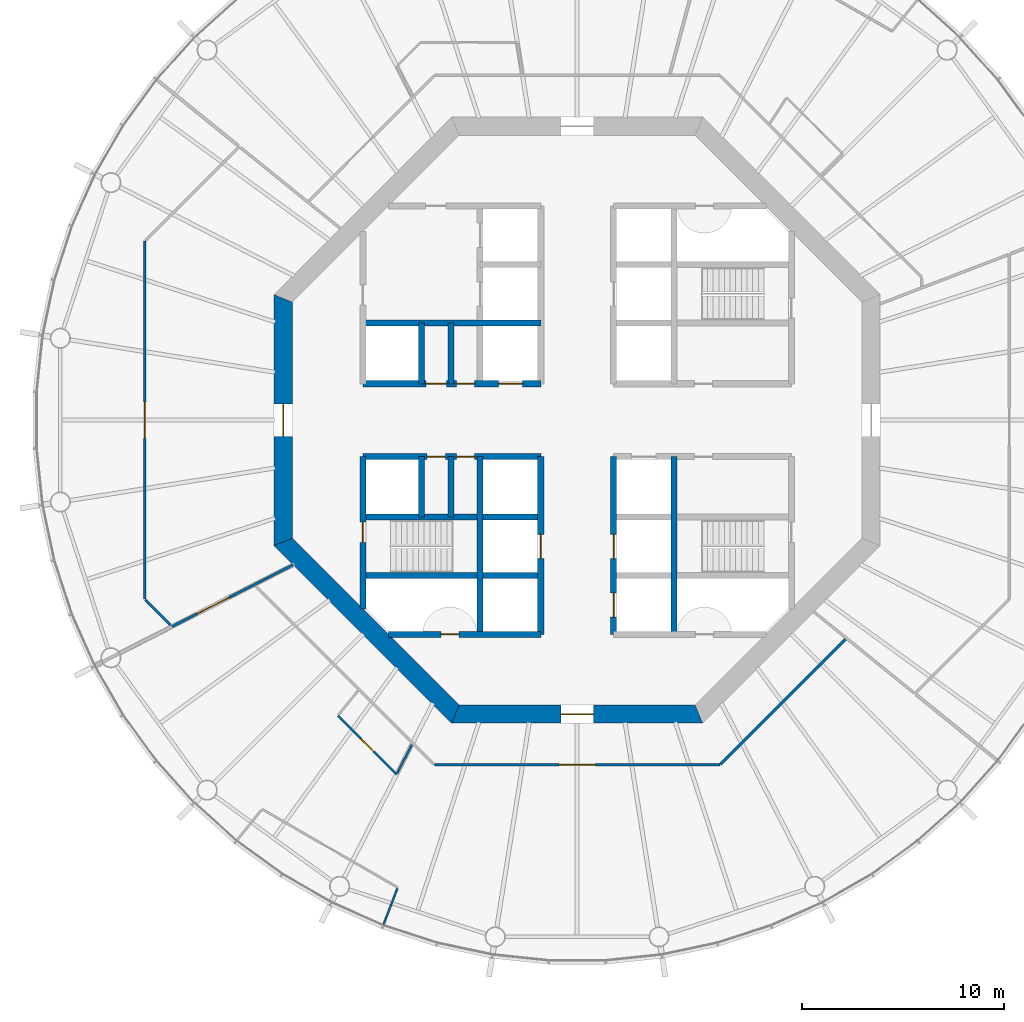
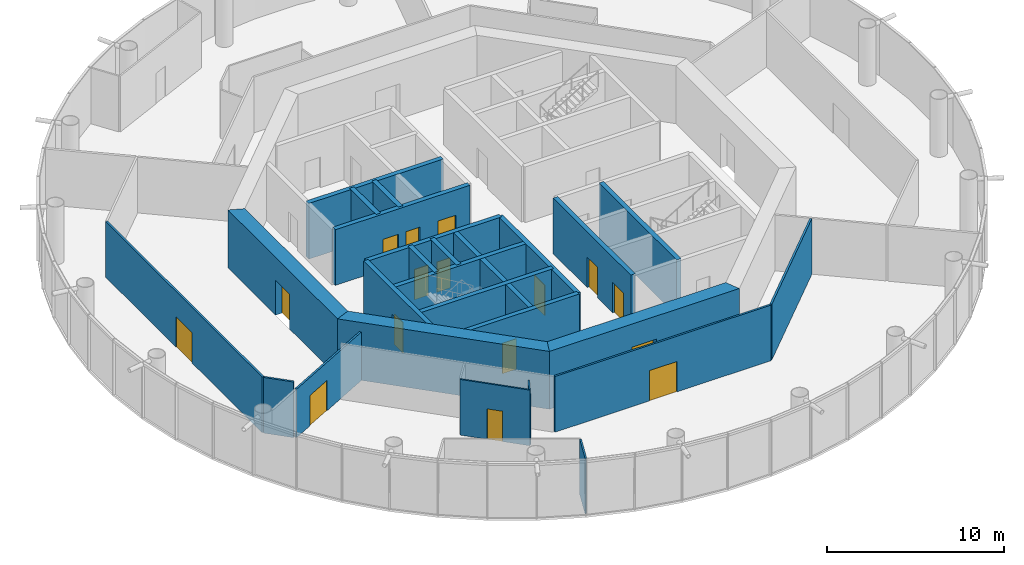
# One storey, part 3 of 12: 26 walls, 16 doors, 16 openings.
"""IFC4 building model written with IfcOpenShell, lengths in metres."""

from ifc_helpers import new_model, si_unit, direction, frame, frame_2d, origin, place, context, subcontext, project, spatial, polyline, rectangle, outline, extrude, material, layer, layer_set, type_object, element, fill, save


model = new_model("IFC4")

# Units and contexts
model_context = context("Model", 3, precision=1e-05, world=origin(), true_north=direction((0.0, 1.0)))
body_context = subcontext(model_context, "Body", "Model", "MODEL_VIEW")
ifc_project = project(units=[si_unit("LENGTHUNIT", "METRE"), si_unit("AREAUNIT", "SQUARE_METRE"), si_unit("VOLUMEUNIT", "CUBIC_METRE"), si_unit("PLANEANGLEUNIT", "RADIAN"), si_unit("MASSUNIT", "GRAM", prefix="KILO")], contexts=[model_context])

# Site, building, storey
site_placement = place(None, origin())
site = spatial("IfcSite", under=ifc_project, at=site_placement, CompositionType="ELEMENT")
building_placement = place(site_placement, origin())
building = spatial("IfcBuilding", under=site, at=building_placement, Name="Entoto Ring Tower", CompositionType="ELEMENT")
storey_placement = place(building_placement, frame((0.0, 0.0, 214.0)))
storey = spatial("IfcBuildingStorey", under=building, at=storey_placement, Name="L49", CompositionType="ELEMENT", Elevation=214.0)

# Wall
ifc_material_1 = material(Name="Concrete C40/50", Category="concrete")
ifc_layer_1 = layer(ifc_material_1, 0.300048828125)
ifc_layer_set_1 = layer_set([ifc_layer_1], Name="Concrete C40/50")
wall_type_1 = type_object("IfcWallType", Name="Core enclosure wall 300 mm reinforced concrete", PredefinedType="SOLIDWALL", material=ifc_layer_set_1)
wall_1_placement = place(storey_placement, frame((94.800048828125, 69.39990234375, 0.0), z_axis=(0.0, 0.0, 1.0), x_axis=(0.0, 1.0, 0.0)))
element("IfcWall", 1, at=wall_1_placement, inside=storey, type_object=wall_type_1, Name="wall-L49-003", PredefinedType="SOLIDWALL", context=body_context, shape_type="SweptSolid", body=[
    extrude(rectangle(XDim=8.800048828125, YDim=0.300048828125, at=frame_2d((4.39990234375, 0.0))), origin(), (0.0, 0.0, 1.0), 3.85009765625),
])

# Wall, openings, doors
wall_2_placement = place(storey_placement, frame((91.800048828125, 69.39990234375, 0.0), z_axis=(0.0, 0.0, 1.0), x_axis=(0.0, 1.0, 0.0)))
wall_2 = element("IfcWall", 2, at=wall_2_placement, inside=storey, type_object=wall_type_1, Name="wall-L49-005", PredefinedType="SOLIDWALL", context=body_context, shape_type="SweptSolid", body=[
    extrude(rectangle(XDim=8.800048828125, YDim=0.300048828125, at=frame_2d((4.39990234375, 0.0))), origin(), (0.0, 0.0, 1.0), 3.85009765625),
])
opening_1_placement = place(wall_2_placement, frame((3.75, 0.0, 0.0)))
opening_1 = element("IfcOpeningElement", 3, at=opening_1_placement, cuts=wall_2, Name="Opening LD", PredefinedType="OPENING", context=body_context, shape_type="SweptSolid", body=[
    extrude(rectangle(XDim=1.199951171875, YDim=2.10009765625, at=frame_2d((0.60009765625, 1.050048828125))), frame((0.0, 0.16015625, 0.0), z_axis=(0.0, -1.0, 0.0), x_axis=(1.0, 0.0, 0.0)), (0.0, 0.0, 1.0), 0.320068359375),
])
opening_2_placement = place(wall_2_placement, frame((0.85009765625, 0.0, 0.0)))
opening_2 = element("IfcOpeningElement", 4, at=opening_2_placement, cuts=wall_2, Name="Opening LD", PredefinedType="OPENING", context=body_context, shape_type="SweptSolid", body=[
    extrude(rectangle(XDim=1.199951171875, YDim=2.10009765625, at=frame_2d((0.60009765625, 1.050048828125))), frame((0.0, 0.16015625, 0.0), z_axis=(0.0, -1.0, 0.0), x_axis=(1.0, 0.0, 0.0)), (0.0, 0.0, 1.0), 0.320068359375),
])
ifc_material_2 = material(Name="Steel and glass door leaf", Category="steel")
ifc_layer_2 = layer(ifc_material_2, 0.050048828125)
ifc_layer_set_2 = layer_set([ifc_layer_2], Name="Steel and glass door leaf")
door_type_1 = type_object("IfcDoorType", Name="Landing door 1200 x 2100 sliding", OperationType="DOUBLE_DOOR_SLIDING", PredefinedType="DOOR", material=ifc_layer_set_2)
door_1_placement = place(opening_1_placement, origin())
door_1 = element("IfcDoor", 5, at=door_1_placement, inside=storey, type_object=door_type_1, Name="Landing door LB2-MR", OperationType="SLIDING_TO_RIGHT", OverallHeight=2.10009765625, OverallWidth=1.199951171875, PredefinedType="DOOR", context=body_context, shape_type="SweptSolid", body=[
    extrude(rectangle(XDim=1.199951171875, YDim=2.10009765625, at=frame_2d((0.60009765625, 1.050048828125))), frame((0.0, 0.02490234375, 0.0), z_axis=(0.0, -1.0, 0.0), x_axis=(1.0, 0.0, 0.0)), (0.0, 0.0, 1.0), 0.050048828125),
])
fill(opening_1, door_1)
door_2_placement = place(opening_2_placement, origin())
door_2 = element("IfcDoor", 6, at=door_2_placement, inside=storey, type_object=door_type_1, Name="Landing door LB3-MR", OperationType="SLIDING_TO_RIGHT", OverallHeight=2.10009765625, OverallWidth=1.199951171875, PredefinedType="DOOR", context=body_context, shape_type="SweptSolid", body=[
    extrude(rectangle(XDim=1.199951171875, YDim=2.10009765625, at=frame_2d((0.60009765625, 1.050048828125))), frame((0.0, 0.02490234375, 0.0), z_axis=(0.0, -1.0, 0.0), x_axis=(1.0, 0.0, 0.0)), (0.0, 0.0, 1.0), 0.050048828125),
])
fill(opening_2, door_2)

# Wall, opening, door
wall_3_placement = place(storey_placement, frame((88.199951171875, 69.39990234375, 0.0), z_axis=(0.0, 0.0, 1.0), x_axis=(0.0, 1.0, 0.0)))
wall_3 = element("IfcWall", 7, at=wall_3_placement, inside=storey, type_object=wall_type_1, Name="wall-L49-007", PredefinedType="SOLIDWALL", context=body_context, shape_type="SweptSolid", body=[
    extrude(rectangle(XDim=8.800048828125, YDim=0.300048828125, at=frame_2d((4.39990234375, 0.0))), origin(), (0.0, 0.0, 1.0), 3.85009765625),
])
opening_3_placement = place(wall_3_placement, frame((3.75, 0.0, 0.0)))
opening_3 = element("IfcOpeningElement", 8, at=opening_3_placement, cuts=wall_3, Name="Opening LD", PredefinedType="OPENING", context=body_context, shape_type="SweptSolid", body=[
    extrude(rectangle(XDim=1.199951171875, YDim=2.10009765625, at=frame_2d((0.60009765625, 1.050048828125))), frame((0.0, 0.16015625, 0.0), z_axis=(0.0, -1.0, 0.0), x_axis=(1.0, 0.0, 0.0)), (0.0, 0.0, 1.0), 0.320068359375),
])
door_3_placement = place(opening_3_placement, origin())
door_3 = element("IfcDoor", 9, at=door_3_placement, inside=storey, type_object=door_type_1, Name="Landing door LB4-MR", OperationType="SLIDING_TO_RIGHT", OverallHeight=2.10009765625, OverallWidth=1.199951171875, PredefinedType="DOOR", context=body_context, shape_type="SweptSolid", body=[
    extrude(rectangle(XDim=1.199951171875, YDim=2.10009765625, at=frame_2d((0.60009765625, 1.050048828125))), frame((0.0, 0.02490234375, 0.0), z_axis=(0.0, -1.0, 0.0), x_axis=(1.0, 0.0, 0.0)), (0.0, 0.0, 1.0), 0.050048828125),
])
fill(opening_3, door_3)

# Walls
wall_4_placement = place(storey_placement, frame((85.199951171875, 69.39990234375, 0.0), z_axis=(0.0, 0.0, 1.0), x_axis=(0.0, 1.0, 0.0)))
element("IfcWall", 10, at=wall_4_placement, inside=storey, type_object=wall_type_1, Name="wall-L49-009", PredefinedType="SOLIDWALL", context=body_context, shape_type="SweptSolid", body=[
    extrude(rectangle(XDim=8.800048828125, YDim=0.300048828125, at=frame_2d((4.39990234375, 0.0))), origin(), (0.0, 0.0, 1.0), 3.85009765625),
])
for number, where, z_axis, x_axis, name in (
    (11, (83.75, 75.199951171875, 0.0), (0.0, 0.0, 1.0), (0.0, 1.0, 0.0), "wall-L49-011"),
    (12, (83.75, 81.800048828125, 0.0), (0.0, 0.0, 1.0), (0.0, 1.0, 0.0), "wall-L49-012"),
    (13, (82.300048828125, 75.199951171875, 0.0), (0.0, 0.0, 1.0), (0.0, 1.0, 0.0), "wall-L49-013"),
    (14, (82.300048828125, 81.800048828125, 0.0), (0.0, 0.0, 1.0), (0.0, 1.0, 0.0), "wall-L49-014"),
):
    element("IfcWall", number, at=place(storey_placement, frame(where, z_axis=z_axis, x_axis=x_axis)), inside=storey, type_object=wall_type_1, Name=name, PredefinedType="SOLIDWALL", context=body_context, shape_type="SweptSolid", body=[
        extrude(rectangle(XDim=3.0, YDim=0.300048828125, at=frame_2d((1.5, 0.0))), origin(), (0.0, 0.0, 1.0), 3.85009765625),
    ])

# Wall, opening, door
wall_5_placement = place(storey_placement, frame((79.39990234375, 70.65966796875, 0.0), z_axis=(0.0, 0.0, 1.0), x_axis=(0.0, 1.0, 0.0)))
wall_5 = element("IfcWall", 15, at=wall_5_placement, inside=storey, type_object=wall_type_1, Name="wall-L49-015", PredefinedType="SOLIDWALL", context=body_context, shape_type="SweptSolid", body=[
    extrude(rectangle(XDim=7.540283203125, YDim=0.300048828125, at=frame_2d((3.77001953125, 0.0))), origin(), (0.0, 0.0, 1.0), 3.85009765625),
])
opening_4_placement = place(wall_5_placement, frame((3.290283203125, 0.0, 0.0)))
opening_4 = element("IfcOpeningElement", 16, at=opening_4_placement, cuts=wall_5, Name="Opening K-59", PredefinedType="OPENING", context=body_context, shape_type="SweptSolid", body=[
    extrude(rectangle(XDim=1.0, YDim=2.10009765625, at=frame_2d((0.5, 1.050048828125))), frame((0.0, 0.16015625, 0.0), z_axis=(0.0, -1.0, 0.0), x_axis=(1.0, 0.0, 0.0)), (0.0, 0.0, 1.0), 0.320068359375),
])
ifc_material_3 = material(Name="Steel door leaf, fire rated", Category="steel")
ifc_layer_3 = layer(ifc_material_3, 0.050048828125)
ifc_layer_set_3 = layer_set([ifc_layer_3], Name="Steel door leaf, fire rated")
door_type_2 = type_object("IfcDoorType", Name="Fire door FD60 1000 x 2100 single leaf", OperationType="NOTDEFINED", PredefinedType="DOOR", material=ifc_layer_set_3)
door_4_placement = place(opening_4_placement, frame((1.0, 0.0, 0.0), z_axis=(0.0, 0.0, 1.0), x_axis=(-1.0, 0.0, 0.0)))
door_4 = element("IfcDoor", 17, at=door_4_placement, inside=storey, type_object=door_type_2, Name="Door K-59", OperationType="SINGLE_SWING_LEFT", OverallHeight=2.10009765625, OverallWidth=1.0, PredefinedType="DOOR", context=body_context, shape_type="SweptSolid", body=[
    extrude(rectangle(XDim=1.0, YDim=2.10009765625, at=frame_2d((0.5, 1.050048828125))), frame((0.0, 0.02490234375, 0.0), z_axis=(0.0, -1.0, 0.0), x_axis=(1.0, 0.0, 0.0)), (0.0, 0.0, 1.0), 0.050048828125),
])
fill(opening_4, door_4)

wall_6_placement = place(storey_placement, frame((80.65966796875, 69.39990234375, 0.0), z_axis=(0.0, 0.0, 1.0), x_axis=(1.0, 0.0, 0.0)))
wall_6 = element("IfcWall", 18, at=wall_6_placement, inside=storey, type_object=wall_type_1, Name="wall-L49-017", PredefinedType="SOLIDWALL", context=body_context, shape_type="SweptSolid", body=[
    extrude(rectangle(XDim=7.540283203125, YDim=0.300048828125, at=frame_2d((3.77001953125, 0.0))), origin(), (0.0, 0.0, 1.0), 3.85009765625),
])
opening_5_placement = place(wall_6_placement, frame((2.59033203125, 0.0, 0.0)))
opening_5 = element("IfcOpeningElement", 19, at=opening_5_placement, cuts=wall_6, Name="Opening K-66", PredefinedType="OPENING", context=body_context, shape_type="SweptSolid", body=[
    extrude(rectangle(XDim=0.89990234375, YDim=2.10009765625, at=frame_2d((0.449951171875, 1.050048828125))), frame((0.0, 0.16015625, 0.0), z_axis=(0.0, -1.0, 0.0), x_axis=(1.0, 0.0, 0.0)), (0.0, 0.0, 1.0), 0.320068359375),
])
ifc_material_4 = material(Name="Steel door leaf, fire rated", Category="steel")
ifc_layer_4 = layer(ifc_material_4, 0.050048828125)
ifc_layer_set_4 = layer_set([ifc_layer_4], Name="Steel door leaf, fire rated")
door_type_3 = type_object("IfcDoorType", Name="Riser door FD60 900 x 2100 single leaf", OperationType="NOTDEFINED", PredefinedType="DOOR", material=ifc_layer_set_4)
door_5_placement = place(opening_5_placement, origin())
door_5 = element("IfcDoor", 20, at=door_5_placement, inside=storey, type_object=door_type_3, Name="Door K-66", OperationType="SINGLE_SWING_RIGHT", OverallHeight=2.10009765625, OverallWidth=0.89990234375, PredefinedType="DOOR", context=body_context, shape_type="SweptSolid", body=[
    extrude(rectangle(XDim=0.89990234375, YDim=2.10009765625, at=frame_2d((0.449951171875, 1.050048828125))), frame((0.0, 0.02490234375, 0.0), z_axis=(0.0, -1.0, 0.0), x_axis=(1.0, 0.0, 0.0)), (0.0, 0.0, 1.0), 0.050048828125),
])
fill(opening_5, door_5)

# Walls
for number, where, z_axis, x_axis, name in (
    (21, (79.39990234375, 72.300048828125, 0.0), (0.0, 0.0, 1.0), (1.0, 0.0, 0.0), "wall-L49-019"),
    (22, (79.39990234375, 75.199951171875, 0.0), (0.0, 0.0, 1.0), (1.0, 0.0, 0.0), "wall-L49-021"),
):
    element("IfcWall", number, at=place(storey_placement, frame(where, z_axis=z_axis, x_axis=x_axis)), inside=storey, type_object=wall_type_1, Name=name, PredefinedType="SOLIDWALL", context=body_context, shape_type="SweptSolid", body=[
        extrude(rectangle(XDim=8.800048828125, YDim=0.300048828125, at=frame_2d((4.39990234375, 0.0))), origin(), (0.0, 0.0, 1.0), 3.85009765625),
    ])

# Wall, openings, doors
wall_7_placement = place(storey_placement, frame((79.39990234375, 78.199951171875, 0.0), z_axis=(0.0, 0.0, 1.0), x_axis=(1.0, 0.0, 0.0)))
wall_7 = element("IfcWall", 23, at=wall_7_placement, inside=storey, type_object=wall_type_1, Name="wall-L49-023", PredefinedType="SOLIDWALL", context=body_context, shape_type="SweptSolid", body=[
    extrude(rectangle(XDim=8.800048828125, YDim=0.300048828125, at=frame_2d((4.39990234375, 0.0))), origin(), (0.0, 0.0, 1.0), 3.85009765625),
])
opening_6_placement = place(wall_7_placement, frame((3.175048828125, 0.0, 0.0)))
opening_6 = element("IfcOpeningElement", 24, at=opening_6_placement, cuts=wall_7, Name="Opening K-15", PredefinedType="OPENING", context=body_context, shape_type="SweptSolid", body=[
    extrude(rectangle(XDim=0.89990234375, YDim=2.10009765625, at=frame_2d((0.449951171875, 1.050048828125))), frame((0.0, 0.16015625, 0.0), z_axis=(0.0, -1.0, 0.0), x_axis=(1.0, 0.0, 0.0)), (0.0, 0.0, 1.0), 0.320068359375),
])
opening_7_placement = place(wall_7_placement, frame((4.625, 0.0, 0.0)))
opening_7 = element("IfcOpeningElement", 25, at=opening_7_placement, cuts=wall_7, Name="Opening K-16", PredefinedType="OPENING", context=body_context, shape_type="SweptSolid", body=[
    extrude(rectangle(XDim=0.89990234375, YDim=2.10009765625, at=frame_2d((0.449951171875, 1.050048828125))), frame((0.0, 0.16015625, 0.0), z_axis=(0.0, -1.0, 0.0), x_axis=(1.0, 0.0, 0.0)), (0.0, 0.0, 1.0), 0.320068359375),
])
ifc_material_5 = material(Name="Steel door leaf, fire rated", Category="steel")
ifc_layer_5 = layer(ifc_material_5, 0.050048828125)
ifc_layer_set_5 = layer_set([ifc_layer_5], Name="Steel door leaf, fire rated")
door_type_4 = type_object("IfcDoorType", Name="Core door 900 x 2100 single leaf", OperationType="NOTDEFINED", PredefinedType="DOOR", material=ifc_layer_set_5)
door_6_placement = place(opening_6_placement, frame((0.89990234375, 0.0, 0.0), z_axis=(0.0, 0.0, 1.0), x_axis=(-1.0, 0.0, 0.0)))
door_6 = element("IfcDoor", 26, at=door_6_placement, inside=storey, type_object=door_type_4, Name="Door K-15", OperationType="SINGLE_SWING_LEFT", OverallHeight=2.10009765625, OverallWidth=0.89990234375, PredefinedType="DOOR", context=body_context, shape_type="SweptSolid", body=[
    extrude(rectangle(XDim=0.89990234375, YDim=2.10009765625, at=frame_2d((0.449951171875, 1.050048828125))), frame((0.0, 0.02490234375, 0.0), z_axis=(0.0, -1.0, 0.0), x_axis=(1.0, 0.0, 0.0)), (0.0, 0.0, 1.0), 0.050048828125),
])
fill(opening_6, door_6)
door_7_placement = place(opening_7_placement, frame((0.89990234375, 0.0, 0.0), z_axis=(0.0, 0.0, 1.0), x_axis=(-1.0, 0.0, 0.0)))
door_7 = element("IfcDoor", 27, at=door_7_placement, inside=storey, type_object=door_type_4, Name="Door K-16", OperationType="SINGLE_SWING_LEFT", OverallHeight=2.10009765625, OverallWidth=0.89990234375, PredefinedType="DOOR", context=body_context, shape_type="SweptSolid", body=[
    extrude(rectangle(XDim=0.89990234375, YDim=2.10009765625, at=frame_2d((0.449951171875, 1.050048828125))), frame((0.0, 0.02490234375, 0.0), z_axis=(0.0, -1.0, 0.0), x_axis=(1.0, 0.0, 0.0)), (0.0, 0.0, 1.0), 0.050048828125),
])
fill(opening_7, door_7)

wall_8_placement = place(storey_placement, frame((79.39990234375, 81.800048828125, 0.0), z_axis=(0.0, 0.0, 1.0), x_axis=(1.0, 0.0, 0.0)))
wall_8 = element("IfcWall", 28, at=wall_8_placement, inside=storey, type_object=wall_type_1, Name="wall-L49-025", PredefinedType="SOLIDWALL", context=body_context, shape_type="SweptSolid", body=[
    extrude(rectangle(XDim=8.800048828125, YDim=0.300048828125, at=frame_2d((4.39990234375, 0.0))), origin(), (0.0, 0.0, 1.0), 3.85009765625),
])
opening_8_placement = place(wall_8_placement, frame((6.699951171875, 0.0, 0.0)))
opening_8 = element("IfcOpeningElement", 29, at=opening_8_placement, cuts=wall_8, Name="Opening LD", PredefinedType="OPENING", context=body_context, shape_type="SweptSolid", body=[
    extrude(rectangle(XDim=1.199951171875, YDim=2.10009765625, at=frame_2d((0.60009765625, 1.050048828125))), frame((0.0, 0.16015625, 0.0), z_axis=(0.0, -1.0, 0.0), x_axis=(1.0, 0.0, 0.0)), (0.0, 0.0, 1.0), 0.320068359375),
])
opening_9_placement = place(wall_8_placement, frame((3.125, 0.0, 0.0)))
opening_9 = element("IfcOpeningElement", 30, at=opening_9_placement, cuts=wall_8, Name="Opening K-13", PredefinedType="OPENING", context=body_context, shape_type="SweptSolid", body=[
    extrude(rectangle(XDim=1.0, YDim=2.10009765625, at=frame_2d((0.5, 1.050048828125))), frame((0.0, 0.16015625, 0.0), z_axis=(0.0, -1.0, 0.0), x_axis=(1.0, 0.0, 0.0)), (0.0, 0.0, 1.0), 0.320068359375),
])
opening_10_placement = place(wall_8_placement, frame((4.625, 0.0, 0.0)))
opening_10 = element("IfcOpeningElement", 31, at=opening_10_placement, cuts=wall_8, Name="Opening K-14", PredefinedType="OPENING", context=body_context, shape_type="SweptSolid", body=[
    extrude(rectangle(XDim=0.89990234375, YDim=2.10009765625, at=frame_2d((0.449951171875, 1.050048828125))), frame((0.0, 0.16015625, 0.0), z_axis=(0.0, -1.0, 0.0), x_axis=(1.0, 0.0, 0.0)), (0.0, 0.0, 1.0), 0.320068359375),
])
ifc_material_6 = material(Name="Steel door leaf, fire rated", Category="steel")
ifc_layer_6 = layer(ifc_material_6, 0.050048828125)
ifc_layer_set_6 = layer_set([ifc_layer_6], Name="Steel door leaf, fire rated")
door_type_5 = type_object("IfcDoorType", Name="Accessible door 1000 x 2100 single leaf", OperationType="NOTDEFINED", PredefinedType="DOOR", material=ifc_layer_set_6)
door_8_placement = place(opening_9_placement, origin())
door_8 = element("IfcDoor", 32, at=door_8_placement, inside=storey, type_object=door_type_5, Name="Door K-13", OperationType="SINGLE_SWING_RIGHT", OverallHeight=2.10009765625, OverallWidth=1.0, PredefinedType="DOOR", context=body_context, shape_type="SweptSolid", body=[
    extrude(rectangle(XDim=1.0, YDim=2.10009765625, at=frame_2d((0.5, 1.050048828125))), frame((0.0, 0.02490234375, 0.0), z_axis=(0.0, -1.0, 0.0), x_axis=(1.0, 0.0, 0.0)), (0.0, 0.0, 1.0), 0.050048828125),
])
fill(opening_9, door_8)
door_9_placement = place(opening_10_placement, origin())
door_9 = element("IfcDoor", 33, at=door_9_placement, inside=storey, type_object=door_type_4, Name="Door K-14", OperationType="SINGLE_SWING_RIGHT", OverallHeight=2.10009765625, OverallWidth=0.89990234375, PredefinedType="DOOR", context=body_context, shape_type="SweptSolid", body=[
    extrude(rectangle(XDim=0.89990234375, YDim=2.10009765625, at=frame_2d((0.449951171875, 1.050048828125))), frame((0.0, 0.02490234375, 0.0), z_axis=(0.0, -1.0, 0.0), x_axis=(1.0, 0.0, 0.0)), (0.0, 0.0, 1.0), 0.050048828125),
])
fill(opening_10, door_9)
door_10_placement = place(opening_8_placement, origin())
door_10 = element("IfcDoor", 34, at=door_10_placement, inside=storey, type_object=door_type_1, Name="Landing door LB5-MR", OperationType="SLIDING_TO_LEFT", OverallHeight=2.10009765625, OverallWidth=1.199951171875, PredefinedType="DOOR", context=body_context, shape_type="SweptSolid", body=[
    extrude(rectangle(XDim=1.199951171875, YDim=2.10009765625, at=frame_2d((0.60009765625, 1.050048828125))), frame((0.0, 0.02490234375, 0.0), z_axis=(0.0, -1.0, 0.0), x_axis=(1.0, 0.0, 0.0)), (0.0, 0.0, 1.0), 0.050048828125),
])
fill(opening_8, door_10)

# Wall
wall_9_placement = place(storey_placement, frame((79.39990234375, 84.800048828125, 0.0), z_axis=(0.0, 0.0, 1.0), x_axis=(1.0, 0.0, 0.0)))
element("IfcWall", 35, at=wall_9_placement, inside=storey, type_object=wall_type_1, Name="wall-L49-027", PredefinedType="SOLIDWALL", context=body_context, shape_type="SweptSolid", body=[
    extrude(rectangle(XDim=8.800048828125, YDim=0.300048828125, at=frame_2d((4.39990234375, 0.0))), origin(), (0.0, 0.0, 1.0), 3.85009765625),
])

# Wall, opening, door
ifc_material_7 = material(Name="Concrete C50/60", Category="concrete")
ifc_layer_7 = layer(ifc_material_7, 0.89990234375)
ifc_layer_set_7 = layer_set([ifc_layer_7], Name="Concrete C50/60")
wall_type_2 = type_object("IfcWallType", Name="Core shear wall 900 mm reinforced concrete C50/60", PredefinedType="SHEAR", material=ifc_layer_set_7)
wall_10_placement = place(storey_placement, frame((75.449951171875, 86.02685546875, 0.0), z_axis=(0.0, 0.0, 1.0), x_axis=(0.0, -1.0, 0.0)))
wall_10 = element("IfcWall", 36, at=wall_10_placement, inside=storey, type_object=wall_type_2, Name="wall-L49-core-4", PredefinedType="SHEAR", context=body_context, shape_type="SweptSolid", body=[
    extrude(outline(polyline([(-0.186279296875, -0.449951171875), (12.239990234375, -0.449951171875), (11.867431640625, 0.449951171875), (0.186279296875, 0.449951171875), (-0.186279296875, -0.449951171875)])), origin(), (0.0, 0.0, 1.0), 4.0),
])
opening_11_placement = place(wall_10_placement, frame((5.226806640625, 0.0, 0.0)))
opening_11 = element("IfcOpeningElement", 37, at=opening_11_placement, cuts=wall_10, Name="Opening K-03", PredefinedType="OPENING", context=body_context, shape_type="SweptSolid", body=[
    extrude(rectangle(XDim=1.60009765625, YDim=2.39990234375, at=frame_2d((0.800048828125, 1.199951171875))), frame((0.0, 0.4599609375, 0.0), z_axis=(0.0, -1.0, 0.0), x_axis=(1.0, 0.0, 0.0)), (0.0, 0.0, 1.0), 0.919921875),
])
ifc_material_8 = material(Name="Steel door leaf, fire rated", Category="steel")
ifc_layer_8 = layer(ifc_material_8, 0.050048828125)
ifc_layer_set_8 = layer_set([ifc_layer_8], Name="Steel door leaf, fire rated")
door_type_6 = type_object("IfcDoorType", Name="Entrance door FD60 1600 x 2400 double leaf", OperationType="DOUBLE_DOOR_SINGLE_SWING", PredefinedType="DOOR", material=ifc_layer_set_8)
door_11_placement = place(opening_11_placement, origin())
door_11 = element("IfcDoor", 38, at=door_11_placement, inside=storey, type_object=door_type_6, Name="Entrance door K-03", OperationType="DOUBLE_DOOR_SINGLE_SWING", OverallHeight=2.39990234375, OverallWidth=1.60009765625, PredefinedType="DOOR", context=body_context, shape_type="SweptSolid", body=[
    extrude(rectangle(XDim=1.60009765625, YDim=2.39990234375, at=frame_2d((0.800048828125, 1.199951171875))), frame((0.0, 0.02490234375, 0.0), z_axis=(0.0, -1.0, 0.0), x_axis=(1.0, 0.0, 0.0)), (0.0, 0.0, 1.0), 0.050048828125),
])
fill(opening_11, door_11)

# Wall
wall_11_placement = place(storey_placement, frame((75.449951171875, 73.97314453125, 0.0), z_axis=(0.0, 0.0, 1.0), x_axis=(0.707106781187, -0.707106781187, 0.0)))
element("IfcWall", 39, at=wall_11_placement, inside=storey, type_object=wall_type_2, Name="wall-L49-core-5", PredefinedType="SHEAR", context=body_context, shape_type="SweptSolid", body=[
    extrude(outline(polyline([(-0.186279296875, -0.449951171875), (12.239990234375, -0.449951171875), (11.867431640625, 0.449951171875), (0.186279296875, 0.449951171875), (-0.186279296875, -0.449951171875)])), origin(), (0.0, 0.0, 1.0), 4.0),
])

# Wall, opening, door
wall_12_placement = place(storey_placement, frame((83.97314453125, 65.449951171875, 0.0), z_axis=(0.0, 0.0, 1.0), x_axis=(1.0, 0.0, 0.0)))
wall_12 = element("IfcWall", 40, at=wall_12_placement, inside=storey, type_object=wall_type_2, Name="wall-L49-core-6", PredefinedType="SHEAR", context=body_context, shape_type="SweptSolid", body=[
    extrude(outline(polyline([(-0.186279296875, -0.449951171875), (12.239990234375, -0.449951171875), (11.867431640625, 0.449951171875), (0.186279296875, 0.449951171875), (-0.186279296875, -0.449951171875)])), origin(), (0.0, 0.0, 1.0), 4.0),
])
opening_12_placement = place(wall_12_placement, frame((5.226806640625, 0.0, 0.0)))
opening_12 = element("IfcOpeningElement", 41, at=opening_12_placement, cuts=wall_12, Name="Opening K-04", PredefinedType="OPENING", context=body_context, shape_type="SweptSolid", body=[
    extrude(rectangle(XDim=1.60009765625, YDim=2.39990234375, at=frame_2d((0.800048828125, 1.199951171875))), frame((0.0, 0.4599609375, 0.0), z_axis=(0.0, -1.0, 0.0), x_axis=(1.0, 0.0, 0.0)), (0.0, 0.0, 1.0), 0.919921875),
])
door_12_placement = place(opening_12_placement, origin())
door_12 = element("IfcDoor", 42, at=door_12_placement, inside=storey, type_object=door_type_6, Name="Entrance door K-04", OperationType="DOUBLE_DOOR_SINGLE_SWING", OverallHeight=2.39990234375, OverallWidth=1.60009765625, PredefinedType="DOOR", context=body_context, shape_type="SweptSolid", body=[
    extrude(rectangle(XDim=1.60009765625, YDim=2.39990234375, at=frame_2d((0.800048828125, 1.199951171875))), frame((0.0, 0.02490234375, 0.0), z_axis=(0.0, -1.0, 0.0), x_axis=(1.0, 0.0, 0.0)), (0.0, 0.0, 1.0), 0.050048828125),
])
fill(opening_12, door_12)

ifc_material_9 = material(Name="Fire-resisting plasterboard on steel studs", Category="steel")
ifc_layer_9 = layer(ifc_material_9, 0.125)
ifc_layer_set_9 = layer_set([ifc_layer_9], Name="Fire-resisting plasterboard on steel studs")
wall_type_3 = type_object("IfcWallType", Name="Corridor wall 125 mm one-hour plasterboard on steel studs", PredefinedType="PARTITIONING", material=ifc_layer_set_9)
wall_13_placement = place(storey_placement, frame((68.60009765625, 71.1357421875, 0.0), z_axis=(0.0, 0.0, 1.0), x_axis=(0.0, 1.0, 0.0)))
wall_13 = element("IfcWall", 43, at=wall_13_placement, inside=storey, type_object=wall_type_3, Name="partition-L49-001", PredefinedType="PARTITIONING", context=body_context, shape_type="SweptSolid", body=[
    extrude(rectangle(XDim=17.728515625, YDim=0.125, at=frame_2d((8.8642578125, 0.0))), origin(), (0.0, 0.0, 1.0), 3.85009765625),
])
opening_13_placement = place(wall_13_placement, frame((7.964111328125, 0.0, 0.0)))
opening_13 = element("IfcOpeningElement", 44, at=opening_13_placement, cuts=wall_13, Name="Opening A21-D02", PredefinedType="OPENING", context=body_context, shape_type="SweptSolid", body=[
    extrude(rectangle(XDim=1.800048828125, YDim=2.10009765625, at=frame_2d((0.89990234375, 1.050048828125))), frame((0.0, 0.072509765625, 0.0), z_axis=(0.0, -1.0, 0.0), x_axis=(1.0, 0.0, 0.0)), (0.0, 0.0, 1.0), 0.14501953125),
])
ifc_material_10 = material(Name="Fire-resisting timber door set", Category="wood")
door_type_7 = type_object("IfcDoorType", Name="Door 1800 x 2100 double leaf FD30S fire door", OperationType="DOUBLE_DOOR_SINGLE_SWING", PredefinedType="DOOR", material=ifc_material_10)
door_13_placement = place(opening_13_placement, origin())
door_13 = element("IfcDoor", 45, at=door_13_placement, inside=storey, type_object=door_type_7, Name="Door A21-D02", OperationType="DOUBLE_DOOR_SINGLE_SWING", OverallHeight=2.10009765625, OverallWidth=1.800048828125, PredefinedType="DOOR", context=body_context, shape_type="SweptSolid", body=[
    extrude(rectangle(XDim=1.800048828125, YDim=2.10009765625, at=frame_2d((0.89990234375, 1.050048828125))), frame((0.0, 0.02490234375, 0.0), z_axis=(0.0, -1.0, 0.0), x_axis=(1.0, 0.0, 0.0)), (0.0, 0.0, 1.0), 0.050048828125),
])
fill(opening_13, door_13)

wall_14_placement = place(storey_placement, frame((82.9326171875, 62.9375, 0.0), z_axis=(0.0, 0.0, 1.0), x_axis=(1.0, 0.0, 0.0)))
wall_14 = element("IfcWall", 46, at=wall_14_placement, inside=storey, type_object=wall_type_3, Name="partition-L49-003", PredefinedType="PARTITIONING", context=body_context, shape_type="SweptSolid", body=[
    extrude(rectangle(XDim=14.134765625, YDim=0.125, at=frame_2d((7.0673828125, 0.0))), origin(), (0.0, 0.0, 1.0), 3.85009765625),
])
opening_14_placement = place(wall_14_placement, frame((6.16748046875, 0.0, 0.0)))
opening_14 = element("IfcOpeningElement", 47, at=opening_14_placement, cuts=wall_14, Name="Opening A21-D09", PredefinedType="OPENING", context=body_context, shape_type="SweptSolid", body=[
    extrude(rectangle(XDim=1.800048828125, YDim=2.10009765625, at=frame_2d((0.89990234375, 1.050048828125))), frame((0.0, 0.072509765625, 0.0), z_axis=(0.0, -1.0, 0.0), x_axis=(1.0, 0.0, 0.0)), (0.0, 0.0, 1.0), 0.14501953125),
])
door_14_placement = place(opening_14_placement, frame((1.800048828125, 0.0, 0.0), z_axis=(0.0, 0.0, 1.0), x_axis=(-1.0, 0.0, 0.0)))
door_14 = element("IfcDoor", 48, at=door_14_placement, inside=storey, type_object=door_type_7, Name="Door A21-D09", OperationType="DOUBLE_DOOR_SINGLE_SWING", OverallHeight=2.10009765625, OverallWidth=1.800048828125, PredefinedType="DOOR", context=body_context, shape_type="SweptSolid", body=[
    extrude(rectangle(XDim=1.800048828125, YDim=2.10009765625, at=frame_2d((0.89990234375, 1.050048828125))), frame((0.0, 0.02490234375, 0.0), z_axis=(0.0, -1.0, 0.0), x_axis=(1.0, 0.0, 0.0)), (0.0, 0.0, 1.0), 0.050048828125),
])
fill(opening_14, door_14)

# Walls
wall_15_placement = place(storey_placement, frame((97.0986328125, 62.968505859375, 0.0), z_axis=(0.0, 0.0, 1.0), x_axis=(0.707092826187, 0.70712073591, 0.0)))
element("IfcWall", 49, at=wall_15_placement, inside=storey, type_object=wall_type_3, Name="partition-L49-008", PredefinedType="PARTITIONING", context=body_context, shape_type="SweptSolid", body=[
    extrude(rectangle(XDim=8.74755859375, YDim=0.125, at=frame_2d((4.373779296875, 0.0))), origin(), (0.0, 0.0, 1.0), 3.85009765625),
])
wall_16_placement = place(storey_placement, frame((69.881103515625, 69.8544921875, 0.0), z_axis=(0.0, 0.0, 1.0), x_axis=(-0.707037731162, 0.707175824469, 0.0)))
element("IfcWall", 50, at=wall_16_placement, inside=storey, type_object=wall_type_3, Name="partition-L49-015", PredefinedType="PARTITIONING", context=body_context, shape_type="SweptSolid", body=[
    extrude(rectangle(XDim=1.767822265625, YDim=0.125, at=frame_2d((0.8837890625, 0.0))), origin(), (0.0, 0.0, 1.0), 3.85009765625),
])

# Wall, opening, door
ifc_material_11 = material(Name="Fire-resisting plasterboard on steel studs", Category="steel")
ifc_layer_10 = layer(ifc_material_11, 0.125)
ifc_layer_set_10 = layer_set([ifc_layer_10], Name="Fire-resisting plasterboard on steel studs")
wall_type_4 = type_object("IfcWallType", Name="Corridor wall 125 mm one-hour plasterboard on steel studs, 3350 mm high", PredefinedType="PARTITIONING", material=ifc_layer_set_10)
wall_17_placement = place(storey_placement, frame((69.951171875, 69.78466796875, 0.0), z_axis=(0.0, 0.0, 1.0), x_axis=(0.891012915606, 0.453977955657, 0.0)))
wall_17 = element("IfcWall", 51, at=wall_17_placement, inside=storey, type_object=wall_type_4, Name="partition-L49-010", PredefinedType="PARTITIONING", context=body_context, shape_type="SweptSolid", body=[
    extrude(rectangle(XDim=6.729248046875, YDim=0.125, at=frame_2d((3.36474609375, 0.0))), origin(), (0.0, 0.0, 1.0), 3.35009765625),
])
opening_15_placement = place(wall_17_placement, frame((1.38037109375, 0.0, 0.0)))
opening_15 = element("IfcOpeningElement", 52, at=opening_15_placement, cuts=wall_17, Name="Opening A21-D10", PredefinedType="OPENING", context=body_context, shape_type="SweptSolid", body=[
    extrude(rectangle(XDim=1.800048828125, YDim=2.10009765625, at=frame_2d((0.89990234375, 1.050048828125))), frame((0.0, 0.072509765625, 0.0), z_axis=(0.0, -1.0, 0.0), x_axis=(1.0, 0.0, 0.0)), (0.0, 0.0, 1.0), 0.14501953125),
])
door_15_placement = place(opening_15_placement, frame((1.800048828125, 0.0, 0.0), z_axis=(0.0, 0.0, 1.0), x_axis=(-1.0, 0.0, 0.0)))
door_15 = element("IfcDoor", 53, at=door_15_placement, inside=storey, type_object=door_type_7, Name="Door A21-D10", OperationType="DOUBLE_DOOR_SINGLE_SWING", OverallHeight=2.10009765625, OverallWidth=1.800048828125, PredefinedType="DOOR", context=body_context, shape_type="SweptSolid", body=[
    extrude(rectangle(XDim=1.800048828125, YDim=2.10009765625, at=frame_2d((0.89990234375, 1.050048828125))), frame((0.0, 0.02490234375, 0.0), z_axis=(0.0, -1.0, 0.0), x_axis=(1.0, 0.0, 0.0)), (0.0, 0.0, 1.0), 0.050048828125),
])
fill(opening_15, door_15)

ifc_material_12 = material(Name="Plasterboard on steel studs", Category="steel")
ifc_layer_11 = layer(ifc_material_12, 0.10009765625)
ifc_layer_set_11 = layer_set([ifc_layer_11], Name="Plasterboard on steel studs")
wall_type_5 = type_object("IfcWallType", Name="Partition 100 mm plasterboard on steel studs", PredefinedType="PARTITIONING", material=ifc_layer_set_11)
wall_18_placement = place(storey_placement, frame((81.062744140625, 62.459716796875, 0.0), z_axis=(0.0, 0.0, 1.0), x_axis=(-0.707136442328, 0.707077118801, 0.0)))
wall_18 = element("IfcWall", 54, at=wall_18_placement, inside=storey, type_object=wall_type_5, Name="partition-L49-026", PredefinedType="PARTITIONING", context=body_context, shape_type="SweptSolid", body=[
    extrude(rectangle(XDim=4.115478515625, YDim=0.10009765625, at=frame_2d((2.0576171875, 0.0))), origin(), (0.0, 0.0, 1.0), 3.85009765625),
])
opening_16_placement = place(wall_18_placement, frame((1.607666015625, 0.0, 0.0)))
opening_16 = element("IfcOpeningElement", 55, at=opening_16_placement, cuts=wall_18, Name="Opening A21-D11", PredefinedType="OPENING", context=body_context, shape_type="SweptSolid", body=[
    extrude(rectangle(XDim=0.89990234375, YDim=2.10009765625, at=frame_2d((0.449951171875, 1.050048828125))), frame((0.0, 0.06005859375, 0.0), z_axis=(0.0, -1.0, 0.0), x_axis=(1.0, 0.0, 0.0)), (0.0, 0.0, 1.0), 0.1201171875),
])
ifc_material_13 = material(Name="Veneered timber door leaf in timber frame", Category="wood")
door_type_8 = type_object("IfcDoorType", Name="Door 900 x 2100 single leaf timber veneer", OperationType="NOTDEFINED", PredefinedType="DOOR", material=ifc_material_13)
door_16_placement = place(opening_16_placement, frame((0.89990234375, 0.0, 0.0), z_axis=(0.0, 0.0, 1.0), x_axis=(-1.0, 0.0, 0.0)))
door_16 = element("IfcDoor", 56, at=door_16_placement, inside=storey, type_object=door_type_8, Name="Door A21-D11", OperationType="SINGLE_SWING_RIGHT", OverallHeight=2.10009765625, OverallWidth=0.89990234375, PredefinedType="DOOR", context=body_context, shape_type="SweptSolid", body=[
    extrude(rectangle(XDim=0.89990234375, YDim=2.10009765625, at=frame_2d((0.449951171875, 1.050048828125))), frame((0.0, 0.02490234375, 0.0), z_axis=(0.0, -1.0, 0.0), x_axis=(1.0, 0.0, 0.0)), (0.0, 0.0, 1.0), 0.050048828125),
])
fill(opening_16, door_16)

# Walls
wall_19_placement = place(storey_placement, frame((80.417236328125, 55.0361328125, 0.0), z_axis=(0.0, 0.0, 1.0), x_axis=(0.358422448659, 0.933559504422, 0.0)))
element("IfcWall", 57, at=wall_19_placement, inside=storey, type_object=wall_type_5, Name="partition-L49-030", PredefinedType="PARTITIONING", context=body_context, shape_type="SweptSolid", body=[
    extrude(rectangle(XDim=1.91064453125, YDim=0.10009765625, at=frame_2d((0.955322265625, 0.0))), origin(), (0.0, 0.0, 1.0), 3.85009765625),
])
ifc_material_14 = material(Name="Plasterboard on steel studs", Category="steel")
ifc_layer_12 = layer(ifc_material_14, 0.10009765625)
ifc_layer_set_12 = layer_set([ifc_layer_12], Name="Plasterboard on steel studs")
wall_type_6 = type_object("IfcWallType", Name="Partition 100 mm plasterboard on steel studs, 3350 mm high", PredefinedType="PARTITIONING", material=ifc_layer_set_12)
wall_20_placement = place(storey_placement, frame((81.093994140625, 62.520751953125, 0.0), z_axis=(0.0, 0.0, 1.0), x_axis=(0.453996862269, 0.891003282289, 0.0)))
element("IfcWall", 58, at=wall_20_placement, inside=storey, type_object=wall_type_6, Name="partition-L49-034", PredefinedType="PARTITIONING", context=body_context, shape_type="SweptSolid", body=[
    extrude(rectangle(XDim=1.594970703125, YDim=0.10009765625, at=frame_2d((0.79736328125, 0.0))), origin(), (0.0, 0.0, 1.0), 3.35009765625),
])

save(model, "model.ifc")
